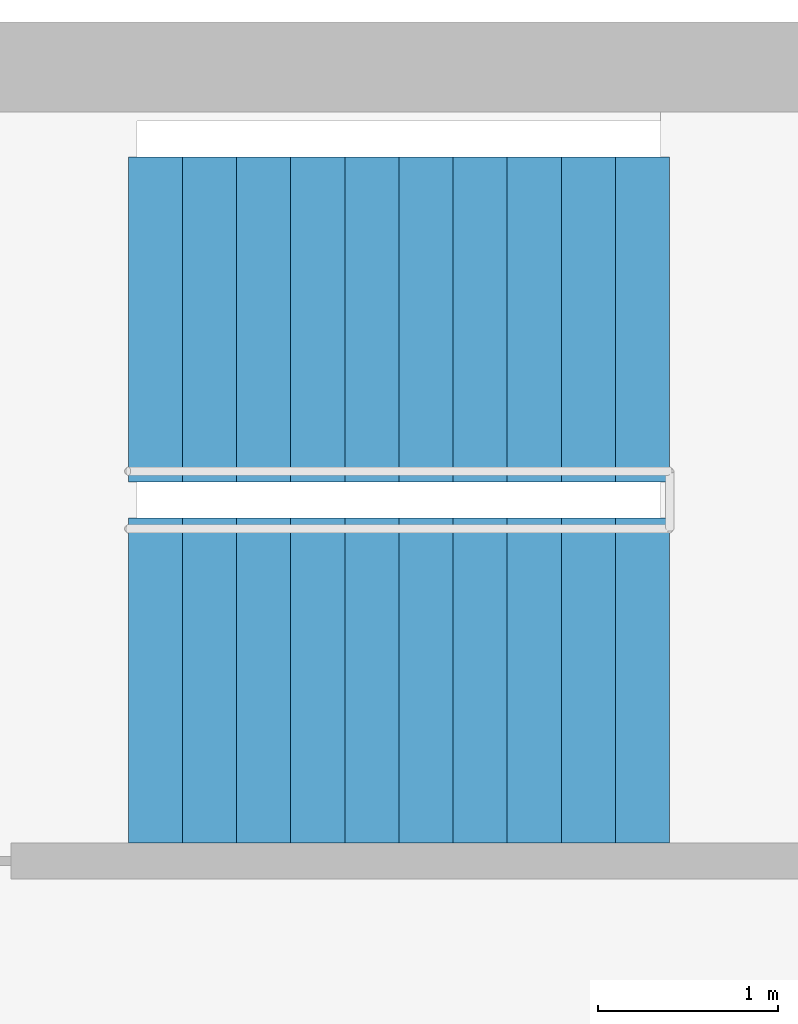
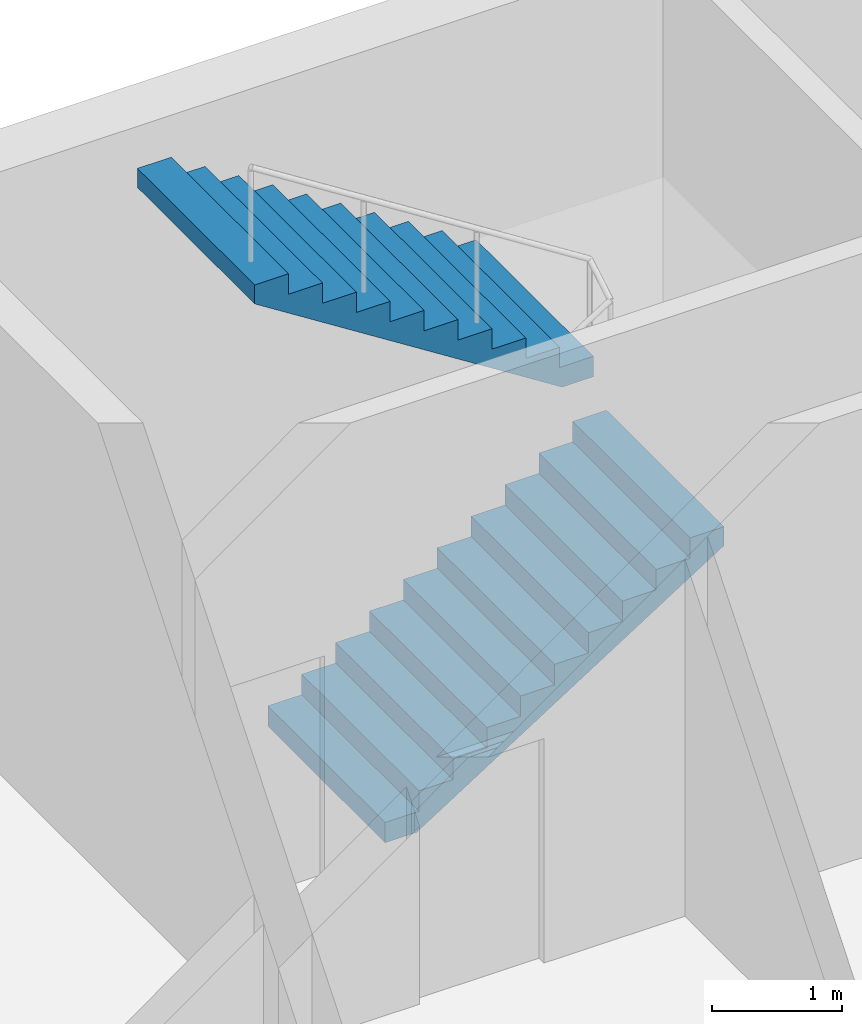
# One storey, part 13 of 16: 2 stair flights, 1 element without a shape of its own.
"""IFC4 building model written with IfcOpenShell, lengths in metres."""

from ifc_helpers import new_model, si_unit, direction, frame, origin, place, context, subcontext, project, spatial, polyline, outline, extrude, material, type_object, element, aggregate, save


model = new_model("IFC4")

# Units and contexts
model_context = context("Model", 3, precision=1e-05, world=origin(), true_north=direction((0.0, 1.0)))
body_context = subcontext(model_context, "Body", "Model", "MODEL_VIEW")
ifc_project = project(units=[si_unit("LENGTHUNIT", "METRE"), si_unit("AREAUNIT", "SQUARE_METRE"), si_unit("VOLUMEUNIT", "CUBIC_METRE"), si_unit("PLANEANGLEUNIT", "RADIAN"), si_unit("MASSUNIT", "GRAM", prefix="KILO")], contexts=[model_context])

# Site, building, storey
site_placement = place(None, origin())
site = spatial("IfcSite", under=ifc_project, at=site_placement, CompositionType="ELEMENT")
building_placement = place(site_placement, origin())
building = spatial("IfcBuilding", under=site, at=building_placement, Name="Crosswind Convention Tower", CompositionType="ELEMENT")
storey_placement = place(building_placement, frame((0.0, 0.0, 253.5)))
storey = spatial("IfcBuildingStorey", under=building, at=storey_placement, Name="L54", CompositionType="ELEMENT", Elevation=253.5)

# Stair, stair flights
ifc_material = material(Name="Concrete C40/50", Category="concrete")
stair_type = type_object("IfcStairType", Name="Exit stair 1800 wide, 2 flights of 11 risers", PredefinedType="HALF_TURN_STAIR", material=ifc_material)
stair_placement = place(storey_placement, origin())
stair = element("IfcStair", 1, at=stair_placement, inside=storey, type_object=stair_type, Name="Exit stair ST1 L54", ObjectType="ST5", PredefinedType="HALF_TURN_STAIR")
stair_flight_type = type_object("IfcStairFlightType", Name="Stair flight 1800 wide, 11 risers (SF4)", PredefinedType="STRAIGHT", material=ifc_material)
stair_flight_1_placement = place(storey_placement, frame((139.10009765625, 108.60009765625, 0.0), z_axis=(0.0, 0.0, 1.0), x_axis=(1.0, 0.0, 0.0)))
stair_flight_1 = element("IfcStairFlight", 2, at=stair_flight_1_placement, type_object=stair_flight_type, Name="ST1 flight 1", NumberOfRisers=11, NumberOfTreads=10, PredefinedType="STRAIGHT", RiserHeight=0.190909091, TreadLength=0.3, context=body_context, shape_type="SweptSolid", body=[
    extrude(outline(polyline([(0.0, 0.0), (0.0, 0.19091796875), (0.300048828125, 0.19091796875), (0.300048828125, 0.3818359375), (0.60009765625, 0.3818359375), (0.60009765625, 0.57275390625), (0.89990234375, 0.57275390625), (0.89990234375, 0.763671875), (1.199951171875, 0.763671875), (1.199951171875, 0.95458984375), (1.5, 0.95458984375), (1.5, 1.1455078125), (1.800048828125, 1.1455078125), (1.800048828125, 1.33642578125), (2.10009765625, 1.33642578125), (2.10009765625, 1.52734375), (2.39990234375, 1.52734375), (2.39990234375, 1.71826171875), (2.699951171875, 1.71826171875), (2.699951171875, 1.9091796875), (3.0, 1.9091796875), (3.0, 2.10009765625), (3.0, 1.7314453125), (0.279296875, 0.0), (0.0, 0.0)])), frame((0.0, 0.89990234375, 0.0), z_axis=(0.0, -1.0, 0.0), x_axis=(1.0, 0.0, 0.0)), (0.0, 0.0, 1.0), 1.800048828125),
])
stair_flight_2_placement = place(storey_placement, frame((142.10009765625, 110.60009765625, 2.10009765625), z_axis=(0.0, 0.0, 1.0), x_axis=(-1.0, 0.0, 0.0)))
stair_flight_2 = element("IfcStairFlight", 3, at=stair_flight_2_placement, type_object=stair_flight_type, Name="ST1 flight 2", NumberOfRisers=11, NumberOfTreads=10, PredefinedType="STRAIGHT", RiserHeight=0.190909091, TreadLength=0.3, context=body_context, shape_type="SweptSolid", body=[
    extrude(outline(polyline([(0.0, 0.0), (0.0, 0.19091796875), (0.300048828125, 0.19091796875), (0.300048828125, 0.3818359375), (0.60009765625, 0.3818359375), (0.60009765625, 0.57275390625), (0.89990234375, 0.57275390625), (0.89990234375, 0.763671875), (1.199951171875, 0.763671875), (1.199951171875, 0.95458984375), (1.5, 0.95458984375), (1.5, 1.1455078125), (1.800048828125, 1.1455078125), (1.800048828125, 1.33642578125), (2.10009765625, 1.33642578125), (2.10009765625, 1.52734375), (2.39990234375, 1.52734375), (2.39990234375, 1.71826171875), (2.699951171875, 1.71826171875), (2.699951171875, 1.9091796875), (3.0, 1.9091796875), (3.0, 2.10009765625), (3.0, 1.7314453125), (0.279296875, 0.0), (0.0, 0.0)])), frame((0.0, 0.89990234375, 0.0), z_axis=(0.0, -1.0, 0.0), x_axis=(1.0, 0.0, 0.0)), (0.0, 0.0, 1.0), 1.800048828125),
])
aggregate(stair, [stair_flight_1, stair_flight_2])

save(model, "model.ifc")
